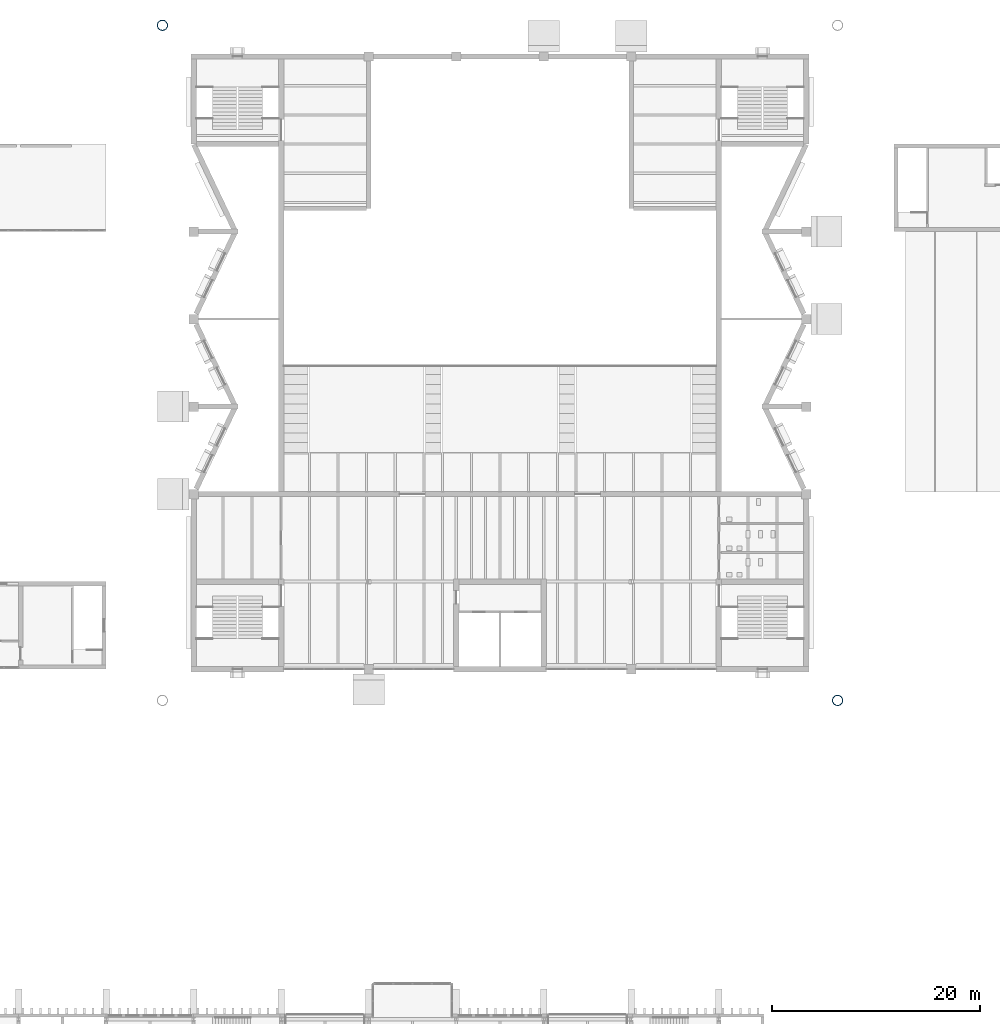
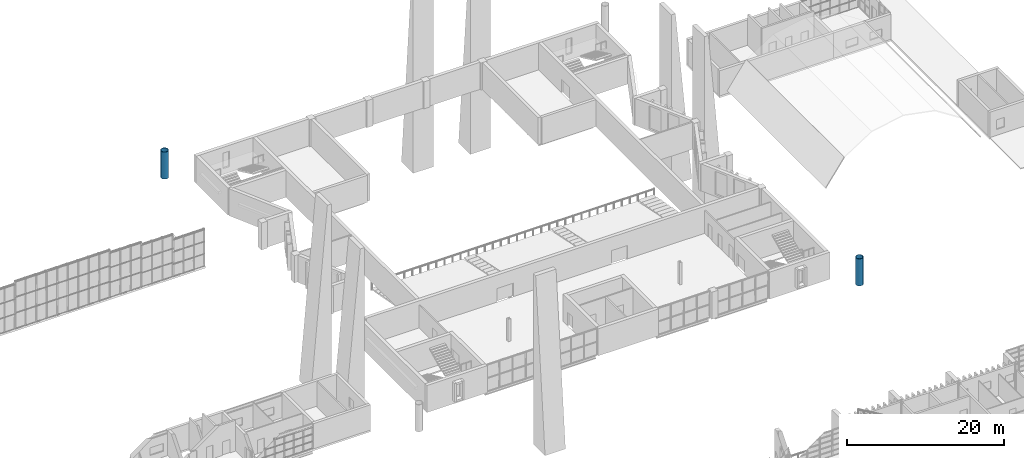
# One storey, part 6 of 100: 2 columns.
"""IFC4 building model written with IfcOpenShell, lengths in metres."""

from ifc_helpers import new_model, si_unit, direction, frame, origin, origin_2d, place, context, subcontext, project, spatial, hollow_circle, extrude, material, material_profile, profile_set, type_object, element, save


model = new_model("IFC4")

# Units and contexts
model_context = context("Model", 3, precision=1e-05, world=origin(), true_north=direction((0.0, 1.0)))
body_context = subcontext(model_context, "Body", "Model", "MODEL_VIEW")
ifc_project = project(units=[si_unit("LENGTHUNIT", "METRE"), si_unit("AREAUNIT", "SQUARE_METRE"), si_unit("VOLUMEUNIT", "CUBIC_METRE"), si_unit("PLANEANGLEUNIT", "RADIAN"), si_unit("MASSUNIT", "GRAM", prefix="KILO")], contexts=[model_context])

# Site, building, storey
site_placement = place(None, origin())
site = spatial("IfcSite", under=ifc_project, at=site_placement, CompositionType="ELEMENT")
building_placement = place(site_placement, origin())
building = spatial("IfcBuilding", under=site, at=building_placement, Name="Cresset Court Congress Hotel", CompositionType="ELEMENT")
storey_placement = place(building_placement, frame((0.0, 0.0, 10.199951171875)))
storey = spatial("IfcBuildingStorey", under=building, at=storey_placement, Name="L02", CompositionType="ELEMENT", Elevation=10.199951171875)

# Columns
ifc_material = material(Name="Structural steel Q355B", Category="steel")
ifc_material_profile = material_profile(ifc_material, hollow_circle(Radius=0.508056640625, WallThickness=0.050048828125, at=origin_2d()), Name="CHS1016x50")
ifc_profile_set = profile_set([ifc_material_profile], Name="Structural steel Q355B")
column_type = type_object("IfcColumnType", Name="Mast tube 1016x50", PredefinedType="COLUMN", material=ifc_profile_set)
for number, where, z_axis, x_axis, name in (
    (1, (120.60009765625, 55.800048828125, 0.0), (0.0, 0.0, 1.0), (1.0, 0.0, 0.0), "Mast M2"),
    (2, (55.800048828125, 120.60009765625, 0.0), (0.0, 0.0, 1.0), (1.0, 0.0, 0.0), "Mast M4"),
):
    element("IfcColumn", number, at=place(storey_placement, frame(where, z_axis=z_axis, x_axis=x_axis)), inside=storey, type_object=column_type, Name=name, PredefinedType="COLUMN", context=body_context, shape_type="SweptSolid", body=[
        extrude(hollow_circle(Radius=0.508056640625, WallThickness=0.050048828125, at=origin_2d()), origin(), (0.0, 0.0, 1.0), 4.199951171875),
    ])

save(model, "model.ifc")
